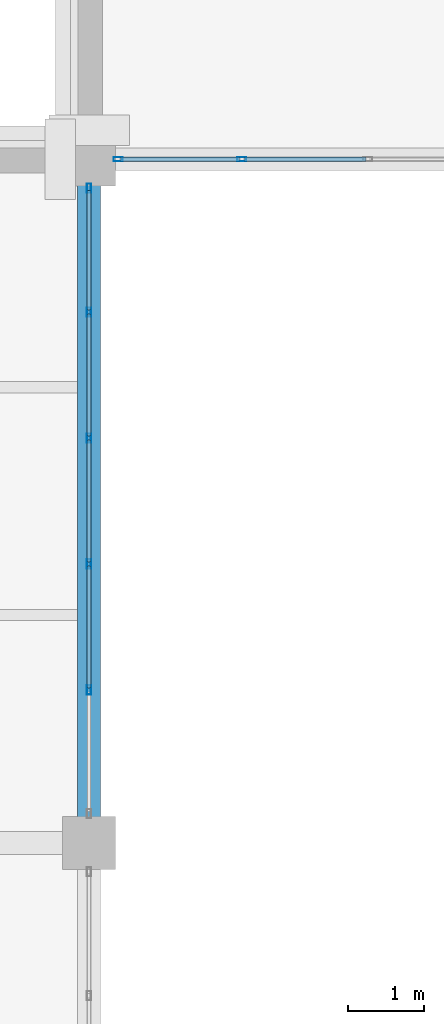
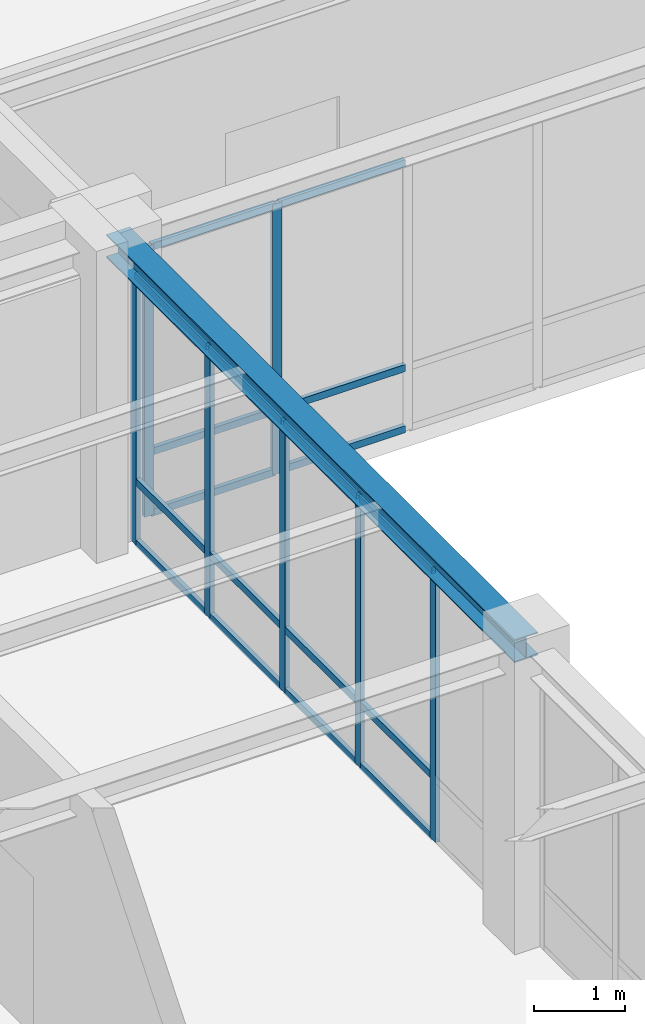
# One storey, part 65 of 108: 25 members, 1 beam, 2 elements without a shape of their own.
"""IFC4 building model written with IfcOpenShell, lengths in metres."""

from ifc_helpers import new_model, si_unit, direction, frame, origin, origin_2d, place, context, subcontext, project, spatial, hollow_rectangle, i_section, extrude, material, material_profile, profile_set, type_object, element, aggregate, save


model = new_model("IFC4")

# Units and contexts
model_context = context("Model", 3, precision=1e-05, world=origin(), true_north=direction((0.0, 1.0)))
body_context = subcontext(model_context, "Body", "Model", "MODEL_VIEW")
ifc_project = project(units=[si_unit("LENGTHUNIT", "METRE"), si_unit("AREAUNIT", "SQUARE_METRE"), si_unit("VOLUMEUNIT", "CUBIC_METRE"), si_unit("PLANEANGLEUNIT", "RADIAN"), si_unit("MASSUNIT", "GRAM", prefix="KILO")], contexts=[model_context])

# Site, building, storey
site_placement = place(None, origin())
site = spatial("IfcSite", under=ifc_project, at=site_placement, CompositionType="ELEMENT")
building_placement = place(site_placement, origin())
building = spatial("IfcBuilding", under=site, at=building_placement, Name="Lykobir Media Centre", CompositionType="ELEMENT")
storey_placement = place(building_placement, frame((0.0, 0.0, 15.0)))
storey = spatial("IfcBuildingStorey", under=building, at=storey_placement, Name="L03", CompositionType="ELEMENT", Elevation=15.0)

# Beam
ifc_material_1 = material(Name="Steel S355", Category="steel")
ifc_material_profile_1 = material_profile(ifc_material_1, i_section(OverallWidth=0.300048828125, OverallDepth=0.31005859375, WebThickness=0.009033203125, FlangeThickness=0.015380859375, at=origin_2d()), Name="HEA 320")
ifc_profile_set_1 = profile_set([ifc_material_profile_1], Name="Steel S355")
beam_type = type_object("IfcBeamType", Name="BM-HEA320", PredefinedType="BEAM", material=ifc_profile_set_1)
beam_placement = place(storey_placement, frame((99.0, 63.0, 3.804931640625), z_axis=(0.0, 1.0, 0.0), x_axis=(-1.0, 0.0, 0.0)))
element("IfcBeam", 1, at=beam_placement, inside=storey, type_object=beam_type, Name="Beam BM-L03-0990-0630-0990-0720-1880", PredefinedType="BEAM", context=body_context, shape_type="SweptSolid", body=[
    extrude(i_section(OverallWidth=0.300048828125, OverallDepth=0.31005859375, WebThickness=0.009033203125, FlangeThickness=0.015380859375, at=origin_2d()), origin(), (0.0, 0.0, 1.0), 9.0),
])

# Curtain wall, members
ifc_material_2 = material(Name="Anodized Aluminium AW-6060", Category="aluminium")
curtain_wall_type = type_object("IfcCurtainWallType", Name="CW-COURT-B", PredefinedType="NOTDEFINED", material=ifc_material_2)
curtain_wall_1_placement = place(storey_placement, origin())
curtain_wall_1 = element("IfcCurtainWall", 2, at=curtain_wall_1_placement, inside=storey, type_object=curtain_wall_type, Name="Curtain wall CW2-L03-0145", PredefinedType="NOTDEFINED")
ifc_material_profile_2 = material_profile(ifc_material_2, hollow_rectangle(XDim=0.054931640625, YDim=0.1201171875, WallThickness=0.003173828125, at=origin_2d()), Name="ALU MULLION 55x120")
ifc_profile_set_2 = profile_set([ifc_material_profile_2], Name="Anodized Aluminium AW-6060")
member_type_1 = type_object("IfcMemberType", Name="CWM-120", PredefinedType="MULLION", material=ifc_profile_set_2)
member_1_placement = place(storey_placement, frame((99.0, 71.617431640625, 0.0), z_axis=(0.0, 0.0, 1.0), x_axis=(1.0, 0.0, 0.0)))
member_1 = element("IfcMember", 3, at=member_1_placement, type_object=member_type_1, Name="CW2-L03-0145 mullion 1", PredefinedType="MULLION", context=body_context, shape_type="SweptSolid", body=[
    extrude(hollow_rectangle(XDim=0.054931640625, YDim=0.1201171875, WallThickness=0.003173828125, at=origin_2d()), origin(), (0.0, 0.0, 1.0), 3.635009765625),
])
member_2_placement = place(storey_placement, frame((99.0, 69.987060546875, 0.0), z_axis=(0.0, 0.0, 1.0), x_axis=(1.0, 0.0, 0.0)))
member_2 = element("IfcMember", 4, at=member_2_placement, type_object=member_type_1, Name="CW2-L03-0145 mullion 2", PredefinedType="MULLION", context=body_context, shape_type="SweptSolid", body=[
    extrude(hollow_rectangle(XDim=0.054931640625, YDim=0.1201171875, WallThickness=0.003173828125, at=origin_2d()), origin(), (0.0, 0.0, 1.0), 3.635009765625),
])
member_3_placement = place(storey_placement, frame((99.0, 68.3291015625, 0.0), z_axis=(0.0, 0.0, 1.0), x_axis=(1.0, 0.0, 0.0)))
member_3 = element("IfcMember", 5, at=member_3_placement, type_object=member_type_1, Name="CW2-L03-0145 mullion 3", PredefinedType="MULLION", context=body_context, shape_type="SweptSolid", body=[
    extrude(hollow_rectangle(XDim=0.054931640625, YDim=0.1201171875, WallThickness=0.003173828125, at=origin_2d()), origin(), (0.0, 0.0, 1.0), 3.635009765625),
])
member_4_placement = place(storey_placement, frame((99.0, 66.6708984375, 0.0), z_axis=(0.0, 0.0, 1.0), x_axis=(1.0, 0.0, 0.0)))
member_4 = element("IfcMember", 6, at=member_4_placement, type_object=member_type_1, Name="CW2-L03-0145 mullion 4", PredefinedType="MULLION", context=body_context, shape_type="SweptSolid", body=[
    extrude(hollow_rectangle(XDim=0.054931640625, YDim=0.1201171875, WallThickness=0.003173828125, at=origin_2d()), origin(), (0.0, 0.0, 1.0), 3.635009765625),
])
member_5_placement = place(storey_placement, frame((99.0, 65.012939453125, 0.0), z_axis=(0.0, 0.0, 1.0), x_axis=(1.0, 0.0, 0.0)))
member_5 = element("IfcMember", 7, at=member_5_placement, type_object=member_type_1, Name="CW2-L03-0145 mullion 5", PredefinedType="MULLION", context=body_context, shape_type="SweptSolid", body=[
    extrude(hollow_rectangle(XDim=0.054931640625, YDim=0.1201171875, WallThickness=0.003173828125, at=origin_2d()), origin(), (0.0, 0.0, 1.0), 3.635009765625),
])

curtain_wall_2_placement = place(storey_placement, origin())
curtain_wall_2 = element("IfcCurtainWall", 8, at=curtain_wall_2_placement, inside=storey, type_object=curtain_wall_type, Name="Curtain wall CW2-L03-0146", PredefinedType="NOTDEFINED")
member_6_placement = place(storey_placement, frame((101.012939453125, 72.0, 0.0), z_axis=(0.0, 0.0, 1.0), x_axis=(0.0, -1.0, 0.0)))
member_6 = element("IfcMember", 9, at=member_6_placement, type_object=member_type_1, Name="CW2-L03-0146 mullion 5", PredefinedType="MULLION", context=body_context, shape_type="SweptSolid", body=[
    extrude(hollow_rectangle(XDim=0.054931640625, YDim=0.1201171875, WallThickness=0.003173828125, at=origin_2d()), origin(), (0.0, 0.0, 1.0), 3.635009765625),
])
member_7_placement = place(storey_placement, frame((99.382568359375, 72.0, 0.0), z_axis=(0.0, 0.0, 1.0), x_axis=(0.0, -1.0, 0.0)))
member_7 = element("IfcMember", 10, at=member_7_placement, type_object=member_type_1, Name="CW2-L03-0146 mullion 6", PredefinedType="MULLION", context=body_context, shape_type="SweptSolid", body=[
    extrude(hollow_rectangle(XDim=0.054931640625, YDim=0.1201171875, WallThickness=0.003173828125, at=origin_2d()), origin(), (0.0, 0.0, 1.0), 3.635009765625),
])

# Member
ifc_material_profile_3 = material_profile(ifc_material_2, hollow_rectangle(XDim=0.054931640625, YDim=0.094970703125, WallThickness=0.0029296875, at=origin_2d()), Name="ALU TRANSOM 55x95")
ifc_profile_set_3 = profile_set([ifc_material_profile_3], Name="Anodized Aluminium AW-6060")
member_type_2 = type_object("IfcMemberType", Name="CWT-095", PredefinedType="USERDEFINED", material=ifc_profile_set_3)
member_8_placement = place(storey_placement, frame((99.0, 71.590087890625, 0.027587890625), z_axis=(0.0, -1.0, 0.0), x_axis=(1.0, 0.0, 0.0)))
member_8 = element("IfcMember", 11, at=member_8_placement, type_object=member_type_2, Name="CW2-L03-0145 transom 1.1", ObjectType="TRANSOM", PredefinedType="USERDEFINED", context=body_context, shape_type="SweptSolid", body=[
    extrude(hollow_rectangle(XDim=0.054931640625, YDim=0.094970703125, WallThickness=0.0029296875, at=origin_2d()), origin(), (0.0, 0.0, 1.0), 1.57568359375),
])

member_9_placement = place(storey_placement, frame((99.0, 71.590087890625, 0.85009765625), z_axis=(0.0, -1.0, 0.0), x_axis=(1.0, 0.0, 0.0)))
member_9 = element("IfcMember", 12, at=member_9_placement, type_object=member_type_2, Name="CW2-L03-0145 transom 1.2", ObjectType="TRANSOM", PredefinedType="USERDEFINED", context=body_context, shape_type="SweptSolid", body=[
    extrude(hollow_rectangle(XDim=0.054931640625, YDim=0.094970703125, WallThickness=0.0029296875, at=origin_2d()), origin(), (0.0, 0.0, 1.0), 1.57568359375),
])

member_10_placement = place(storey_placement, frame((99.0, 71.590087890625, 3.607421875), z_axis=(0.0, -1.0, 0.0), x_axis=(1.0, 0.0, 0.0)))
member_10 = element("IfcMember", 13, at=member_10_placement, type_object=member_type_2, Name="CW2-L03-0145 transom 1.3", ObjectType="TRANSOM", PredefinedType="USERDEFINED", context=body_context, shape_type="SweptSolid", body=[
    extrude(hollow_rectangle(XDim=0.054931640625, YDim=0.094970703125, WallThickness=0.0029296875, at=origin_2d()), origin(), (0.0, 0.0, 1.0), 1.57568359375),
])

member_11_placement = place(storey_placement, frame((99.0, 69.95947265625, 0.027587890625), z_axis=(0.0, -1.0, 0.0), x_axis=(1.0, 0.0, 0.0)))
member_11 = element("IfcMember", 14, at=member_11_placement, type_object=member_type_2, Name="CW2-L03-0145 transom 2.1", ObjectType="TRANSOM", PredefinedType="USERDEFINED", context=body_context, shape_type="SweptSolid", body=[
    extrude(hollow_rectangle(XDim=0.054931640625, YDim=0.094970703125, WallThickness=0.0029296875, at=origin_2d()), origin(), (0.0, 0.0, 1.0), 1.60302734375),
])

member_12_placement = place(storey_placement, frame((99.0, 69.95947265625, 0.85009765625), z_axis=(0.0, -1.0, 0.0), x_axis=(1.0, 0.0, 0.0)))
member_12 = element("IfcMember", 15, at=member_12_placement, type_object=member_type_2, Name="CW2-L03-0145 transom 2.2", ObjectType="TRANSOM", PredefinedType="USERDEFINED", context=body_context, shape_type="SweptSolid", body=[
    extrude(hollow_rectangle(XDim=0.054931640625, YDim=0.094970703125, WallThickness=0.0029296875, at=origin_2d()), origin(), (0.0, 0.0, 1.0), 1.60302734375),
])

member_13_placement = place(storey_placement, frame((99.0, 69.95947265625, 3.607421875), z_axis=(0.0, -1.0, 0.0), x_axis=(1.0, 0.0, 0.0)))
member_13 = element("IfcMember", 16, at=member_13_placement, type_object=member_type_2, Name="CW2-L03-0145 transom 2.3", ObjectType="TRANSOM", PredefinedType="USERDEFINED", context=body_context, shape_type="SweptSolid", body=[
    extrude(hollow_rectangle(XDim=0.054931640625, YDim=0.094970703125, WallThickness=0.0029296875, at=origin_2d()), origin(), (0.0, 0.0, 1.0), 1.60302734375),
])

member_14_placement = place(storey_placement, frame((99.0, 68.301513671875, 0.027587890625), z_axis=(0.0, -1.0, 0.0), x_axis=(1.0, 0.0, 0.0)))
member_14 = element("IfcMember", 17, at=member_14_placement, type_object=member_type_2, Name="CW2-L03-0145 transom 3.1", ObjectType="TRANSOM", PredefinedType="USERDEFINED", context=body_context, shape_type="SweptSolid", body=[
    extrude(hollow_rectangle(XDim=0.054931640625, YDim=0.094970703125, WallThickness=0.0029296875, at=origin_2d()), origin(), (0.0, 0.0, 1.0), 1.60302734375),
])

member_15_placement = place(storey_placement, frame((99.0, 68.301513671875, 0.85009765625), z_axis=(0.0, -1.0, 0.0), x_axis=(1.0, 0.0, 0.0)))
member_15 = element("IfcMember", 18, at=member_15_placement, type_object=member_type_2, Name="CW2-L03-0145 transom 3.2", ObjectType="TRANSOM", PredefinedType="USERDEFINED", context=body_context, shape_type="SweptSolid", body=[
    extrude(hollow_rectangle(XDim=0.054931640625, YDim=0.094970703125, WallThickness=0.0029296875, at=origin_2d()), origin(), (0.0, 0.0, 1.0), 1.60302734375),
])

member_16_placement = place(storey_placement, frame((99.0, 68.301513671875, 3.607421875), z_axis=(0.0, -1.0, 0.0), x_axis=(1.0, 0.0, 0.0)))
member_16 = element("IfcMember", 19, at=member_16_placement, type_object=member_type_2, Name="CW2-L03-0145 transom 3.3", ObjectType="TRANSOM", PredefinedType="USERDEFINED", context=body_context, shape_type="SweptSolid", body=[
    extrude(hollow_rectangle(XDim=0.054931640625, YDim=0.094970703125, WallThickness=0.0029296875, at=origin_2d()), origin(), (0.0, 0.0, 1.0), 1.60302734375),
])

member_17_placement = place(storey_placement, frame((99.0, 66.6435546875, 0.027587890625), z_axis=(0.0, -1.0, 0.0), x_axis=(1.0, 0.0, 0.0)))
member_17 = element("IfcMember", 20, at=member_17_placement, type_object=member_type_2, Name="CW2-L03-0145 transom 4.1", ObjectType="TRANSOM", PredefinedType="USERDEFINED", context=body_context, shape_type="SweptSolid", body=[
    extrude(hollow_rectangle(XDim=0.054931640625, YDim=0.094970703125, WallThickness=0.0029296875, at=origin_2d()), origin(), (0.0, 0.0, 1.0), 1.60302734375),
])

member_18_placement = place(storey_placement, frame((99.0, 66.6435546875, 0.85009765625), z_axis=(0.0, -1.0, 0.0), x_axis=(1.0, 0.0, 0.0)))
member_18 = element("IfcMember", 21, at=member_18_placement, type_object=member_type_2, Name="CW2-L03-0145 transom 4.2", ObjectType="TRANSOM", PredefinedType="USERDEFINED", context=body_context, shape_type="SweptSolid", body=[
    extrude(hollow_rectangle(XDim=0.054931640625, YDim=0.094970703125, WallThickness=0.0029296875, at=origin_2d()), origin(), (0.0, 0.0, 1.0), 1.60302734375),
])

member_19_placement = place(storey_placement, frame((99.0, 66.6435546875, 3.607421875), z_axis=(0.0, -1.0, 0.0), x_axis=(1.0, 0.0, 0.0)))
member_19 = element("IfcMember", 22, at=member_19_placement, type_object=member_type_2, Name="CW2-L03-0145 transom 4.3", ObjectType="TRANSOM", PredefinedType="USERDEFINED", context=body_context, shape_type="SweptSolid", body=[
    extrude(hollow_rectangle(XDim=0.054931640625, YDim=0.094970703125, WallThickness=0.0029296875, at=origin_2d()), origin(), (0.0, 0.0, 1.0), 1.60302734375),
])

aggregate(curtain_wall_1, [member_1, member_2, member_3, member_4, member_5, member_8, member_9, member_10, member_11, member_12, member_13, member_14, member_15, member_16, member_17, member_18, member_19])

member_20_placement = place(storey_placement, frame((102.6435546875, 72.0, 0.027587890625), z_axis=(-1.0, 0.0, 0.0), x_axis=(0.0, -1.0, 0.0)))
member_20 = element("IfcMember", 23, at=member_20_placement, type_object=member_type_2, Name="CW2-L03-0146 transom 4.1", ObjectType="TRANSOM", PredefinedType="USERDEFINED", context=body_context, shape_type="SweptSolid", body=[
    extrude(hollow_rectangle(XDim=0.054931640625, YDim=0.094970703125, WallThickness=0.0029296875, at=origin_2d()), origin(), (0.0, 0.0, 1.0), 1.60302734375),
])

member_21_placement = place(storey_placement, frame((102.6435546875, 72.0, 0.85009765625), z_axis=(-1.0, 0.0, 0.0), x_axis=(0.0, -1.0, 0.0)))
member_21 = element("IfcMember", 24, at=member_21_placement, type_object=member_type_2, Name="CW2-L03-0146 transom 4.2", ObjectType="TRANSOM", PredefinedType="USERDEFINED", context=body_context, shape_type="SweptSolid", body=[
    extrude(hollow_rectangle(XDim=0.054931640625, YDim=0.094970703125, WallThickness=0.0029296875, at=origin_2d()), origin(), (0.0, 0.0, 1.0), 1.60302734375),
])

member_22_placement = place(storey_placement, frame((102.6435546875, 72.0, 3.607421875), z_axis=(-1.0, 0.0, 0.0), x_axis=(0.0, -1.0, 0.0)))
member_22 = element("IfcMember", 25, at=member_22_placement, type_object=member_type_2, Name="CW2-L03-0146 transom 4.3", ObjectType="TRANSOM", PredefinedType="USERDEFINED", context=body_context, shape_type="SweptSolid", body=[
    extrude(hollow_rectangle(XDim=0.054931640625, YDim=0.094970703125, WallThickness=0.0029296875, at=origin_2d()), origin(), (0.0, 0.0, 1.0), 1.60302734375),
])

member_23_placement = place(storey_placement, frame((100.985595703125, 72.0, 0.027587890625), z_axis=(-1.0, 0.0, 0.0), x_axis=(0.0, -1.0, 0.0)))
member_23 = element("IfcMember", 26, at=member_23_placement, type_object=member_type_2, Name="CW2-L03-0146 transom 5.1", ObjectType="TRANSOM", PredefinedType="USERDEFINED", context=body_context, shape_type="SweptSolid", body=[
    extrude(hollow_rectangle(XDim=0.054931640625, YDim=0.094970703125, WallThickness=0.0029296875, at=origin_2d()), origin(), (0.0, 0.0, 1.0), 1.57568359375),
])

member_24_placement = place(storey_placement, frame((100.985595703125, 72.0, 0.85009765625), z_axis=(-1.0, 0.0, 0.0), x_axis=(0.0, -1.0, 0.0)))
member_24 = element("IfcMember", 27, at=member_24_placement, type_object=member_type_2, Name="CW2-L03-0146 transom 5.2", ObjectType="TRANSOM", PredefinedType="USERDEFINED", context=body_context, shape_type="SweptSolid", body=[
    extrude(hollow_rectangle(XDim=0.054931640625, YDim=0.094970703125, WallThickness=0.0029296875, at=origin_2d()), origin(), (0.0, 0.0, 1.0), 1.57568359375),
])

member_25_placement = place(storey_placement, frame((100.985595703125, 72.0, 3.607421875), z_axis=(-1.0, 0.0, 0.0), x_axis=(0.0, -1.0, 0.0)))
member_25 = element("IfcMember", 28, at=member_25_placement, type_object=member_type_2, Name="CW2-L03-0146 transom 5.3", ObjectType="TRANSOM", PredefinedType="USERDEFINED", context=body_context, shape_type="SweptSolid", body=[
    extrude(hollow_rectangle(XDim=0.054931640625, YDim=0.094970703125, WallThickness=0.0029296875, at=origin_2d()), origin(), (0.0, 0.0, 1.0), 1.57568359375),
])

aggregate(curtain_wall_2, [member_6, member_7, member_20, member_21, member_22, member_23, member_24, member_25])

save(model, "model.ifc")
